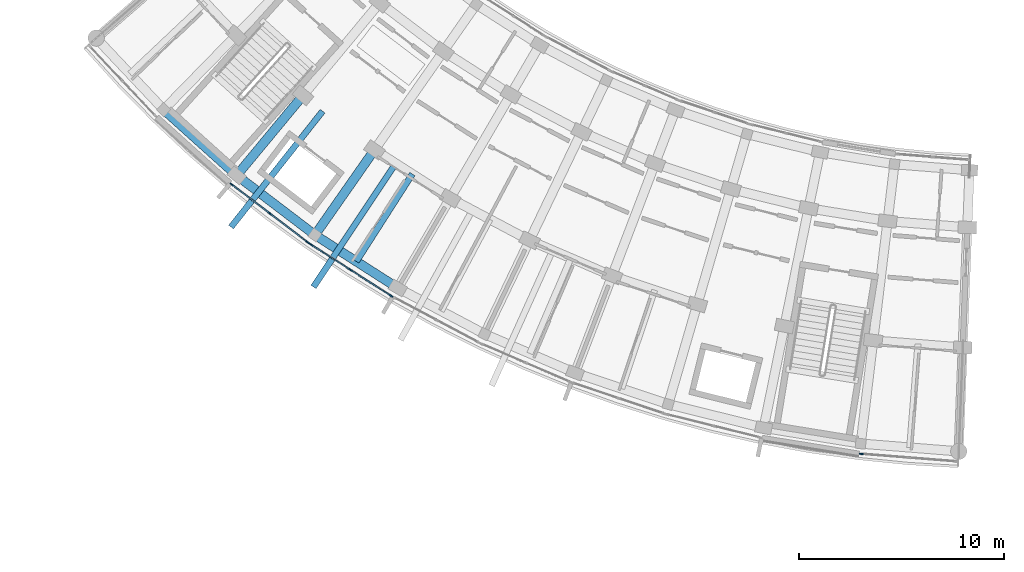
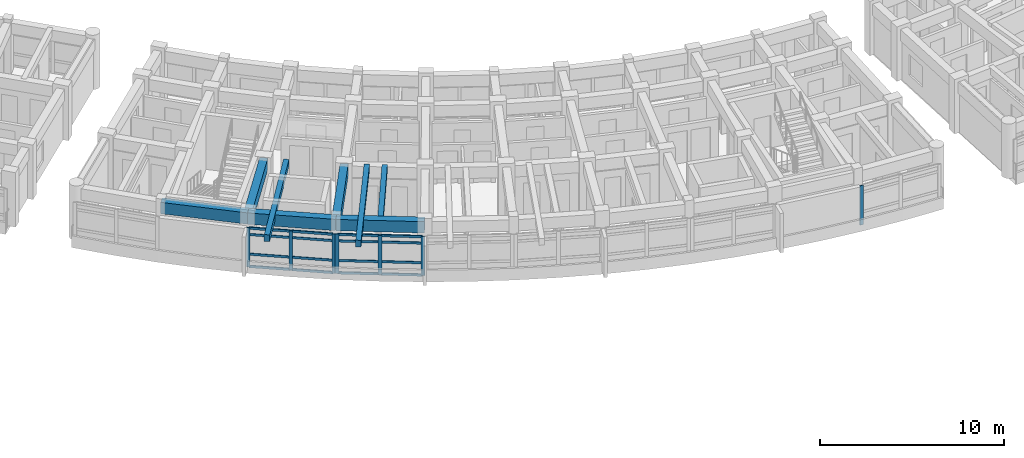
# One storey, part 19 of 83: 23 members, 8 beams, 3 elements without a shape of their own.
"""IFC4 building model written with IfcOpenShell, lengths in metres."""

from ifc_helpers import new_model, si_unit, direction, frame, origin, origin_2d, place, context, subcontext, project, spatial, rectangle, extrude, material, material_profile, profile_set, type_object, element, aggregate, save


model = new_model("IFC4")

# Units and contexts
model_context = context("Model", 3, precision=1e-05, world=origin(), true_north=direction((0.0, 1.0)))
body_context = subcontext(model_context, "Body", "Model", "MODEL_VIEW")
ifc_project = project(units=[si_unit("LENGTHUNIT", "METRE"), si_unit("AREAUNIT", "SQUARE_METRE"), si_unit("VOLUMEUNIT", "CUBIC_METRE"), si_unit("PLANEANGLEUNIT", "RADIAN"), si_unit("MASSUNIT", "GRAM", prefix="KILO")], contexts=[model_context])

# Site, building, storey
site_placement = place(None, origin())
site = spatial("IfcSite", under=ifc_project, at=site_placement, CompositionType="ELEMENT")
building_placement = place(site_placement, origin())
building = spatial("IfcBuilding", under=site, at=building_placement, Name="Zimvara Arc Housing Community", CompositionType="ELEMENT")
storey_placement = place(building_placement, frame((0.0, 0.0, 4.5)))
storey = spatial("IfcBuildingStorey", under=building, at=storey_placement, Name="L01", CompositionType="ELEMENT", Elevation=4.5)

# Beams
ifc_material_1 = material(Name="Concrete C40/50", Category="concrete")
ifc_material_profile_1 = material_profile(ifc_material_1, rectangle(XDim=0.300048828125, YDim=0.449951171875, at=origin_2d()), Name="RC 300x450")
ifc_profile_set_1 = profile_set([ifc_material_profile_1], Name="Concrete C40/50")
beam_type_1 = type_object("IfcBeamType", Name="BM-RC-300x450", PredefinedType="JOIST", material=ifc_profile_set_1)
beam_1_placement = place(storey_placement, frame((97.00244140625, 64.583984375, 3.135009765625), z_axis=(-0.539052331508, -0.842272274206, 0.0), x_axis=(0.842272274206, -0.539052331508, 0.0)))
element("IfcBeam", 1, at=beam_1_placement, inside=storey, type_object=beam_type_1, Name="bm:blkC:L01:joist:b3", PredefinedType="JOIST", context=body_context, shape_type="SweptSolid", body=[
    extrude(rectangle(XDim=0.300048828125, YDim=0.449951171875, at=origin_2d()), origin(), (0.0, 0.0, 1.0), 5.07568359375),
])
for number, where, z_axis, x_axis, name in (
    (2, (92.614013671875, 67.65625, 3.1650390625), (-0.620185744854, -0.784454996721, 0.0), (0.784454996721, -0.620185744854, 0.0), "bm:blkC:L01:cant_out:b2"),
    (3, (96.168701171875, 65.07470703125, 3.1650390625), (-0.554114811637, -0.832440253426, 0.0), (0.832440253426, -0.554114811637, 0.0), "bm:blkC:L01:cant_out:b3"),
):
    element("IfcBeam", number, at=place(storey_placement, frame(where, z_axis=z_axis, x_axis=x_axis)), inside=storey, type_object=beam_type_1, Name=name, PredefinedType="JOIST", context=body_context, shape_type="SweptSolid", body=[
        extrude(rectangle(XDim=0.300048828125, YDim=0.449951171875, at=origin_2d()), origin(), (0.0, 0.0, 1.0), 7.219970703125),
    ])
ifc_material_2 = material(Name="Concrete C40/50", Category="concrete")
ifc_material_profile_2 = material_profile(ifc_material_2, rectangle(XDim=0.449951171875, YDim=0.75, at=origin_2d()), Name="RC 450x750")
ifc_profile_set_2 = profile_set([ifc_material_profile_2], Name="Concrete C40/50")
beam_type_2 = type_object("IfcBeamType", Name="BM-RC-450x750", PredefinedType="BEAM", material=ifc_profile_set_2)
for number, where, z_axis, x_axis, name in (
    (4, (84.842529296875, 67.734375, 2.985107421875), (0.743369885629, -0.668880567172, 0.0), (0.668880567172, 0.743369885629, 0.0), "bm:blkC:L01:chord:r3:b1"),
    (5, (88.416748046875, 64.518310546875, 2.985107421875), (0.795480673672, -0.605978958228, 0.0), (0.605978958228, 0.795480673672, 0.0), "bm:blkC:L01:chord:r3:b2"),
    (6, (92.241455078125, 61.604736328125, 2.985107421875), (0.842278777856, -0.539042169383, 0.0), (0.539042169383, 0.842278777856, 0.0), "bm:blkC:L01:chord:r3:b3"),
):
    element("IfcBeam", number, at=place(storey_placement, frame(where, z_axis=z_axis, x_axis=x_axis)), inside=storey, type_object=beam_type_2, Name=name, PredefinedType="BEAM", context=body_context, shape_type="SweptSolid", body=[
        extrude(rectangle(XDim=0.449951171875, YDim=0.75, at=origin_2d()), origin(), (0.0, 0.0, 1.0), 4.80810546875),
    ])
beam_2_placement = place(storey_placement, frame((91.65771484375, 68.430419921875, 2.985107421875), z_axis=(-0.637960059333, -0.770069453164, 0.0), x_axis=(0.770069453164, -0.637960059333, 0.0)))
element("IfcBeam", 7, at=beam_2_placement, inside=storey, type_object=beam_type_2, Name="bm:blkC:L01:rad:b2:r23", PredefinedType="BEAM", context=body_context, shape_type="SweptSolid", body=[
    extrude(rectangle(XDim=0.449951171875, YDim=0.75, at=origin_2d()), origin(), (0.0, 0.0, 1.0), 5.080322265625),
])
beam_3_placement = place(storey_placement, frame((95.15234375, 65.76806640625, 2.985107421875), z_axis=(-0.573007469479, -0.819550144848, 0.0), x_axis=(0.819550144848, -0.573007469479, 0.0)))
element("IfcBeam", 8, at=beam_3_placement, inside=storey, type_object=beam_type_2, Name="bm:blkC:L01:rad:b3:r23", PredefinedType="BEAM", context=body_context, shape_type="SweptSolid", body=[
    extrude(rectangle(XDim=0.449951171875, YDim=0.75, at=origin_2d()), origin(), (0.0, 0.0, 1.0), 5.080078125),
])

# Curtain wall, members
ifc_material_3 = material(Name="Anodised Aluminium AW-6063", Category="aluminium")
curtain_wall_type_1 = type_object("IfcCurtainWallType", Name="CW-SYS-07", PredefinedType="USERDEFINED", material=ifc_material_3)
curtain_wall_1_placement = place(storey_placement, origin())
curtain_wall_1 = element("IfcCurtainWall", 9, at=curtain_wall_1_placement, inside=storey, type_object=curtain_wall_type_1, Name="cw:blkC:L01:out:b2", ObjectType="CURTAIN WALL", PredefinedType="USERDEFINED")
ifc_material_4 = material(Name="Anodised Aluminium AW-6063", Category="aluminium")
ifc_material_profile_3 = material_profile(ifc_material_4, rectangle(XDim=0.06494140625, YDim=0.195068359375, at=origin_2d()), Name="ALU 65x195")
ifc_profile_set_3 = profile_set([ifc_material_profile_3], Name="Anodised Aluminium AW-6063")
member_type_1 = type_object("IfcMemberType", Name="CWM-65x180", PredefinedType="MULLION", material=ifc_profile_set_3)
member_1_placement = place(storey_placement, frame((88.17138671875, 64.077392578125, 0.0), z_axis=(0.0, 0.0, 1.0), x_axis=(0.60598771987, 0.795473999177, 0.0)))
member_1 = element("IfcMember", 10, at=member_1_placement, type_object=member_type_1, Name="CW07 mullion 1", PredefinedType="MULLION", context=body_context, shape_type="SweptSolid", body=[
    extrude(rectangle(XDim=0.06494140625, YDim=0.195068359375, at=origin_2d()), origin(), (0.0, 0.0, 1.0), 2.60009765625),
])
member_2_placement = place(storey_placement, frame((90.0263671875, 62.6640625, 0.0), z_axis=(0.0, 0.0, 1.0), x_axis=(0.60598771987, 0.795473999177, 0.0)))
member_2 = element("IfcMember", 11, at=member_2_placement, type_object=member_type_1, Name="CW07 mullion 2", PredefinedType="MULLION", context=body_context, shape_type="SweptSolid", body=[
    extrude(rectangle(XDim=0.06494140625, YDim=0.195068359375, at=origin_2d()), origin(), (0.0, 0.0, 1.0), 2.60009765625),
])
member_3_placement = place(storey_placement, frame((91.88134765625, 61.2509765625, 0.0), z_axis=(0.0, 0.0, 1.0), x_axis=(0.60598771987, 0.795473999177, 0.0)))
member_3 = element("IfcMember", 12, at=member_3_placement, type_object=member_type_1, Name="CW07 mullion 3", PredefinedType="MULLION", context=body_context, shape_type="SweptSolid", body=[
    extrude(rectangle(XDim=0.06494140625, YDim=0.195068359375, at=origin_2d()), origin(), (0.0, 0.0, 1.0), 2.60009765625),
])

ifc_material_5 = material(Name="Anodised Aluminium AW-6063", Category="aluminium")
curtain_wall_type_2 = type_object("IfcCurtainWallType", Name="CW-SYS-01", PredefinedType="USERDEFINED", material=ifc_material_5)
curtain_wall_2_placement = place(storey_placement, origin())
curtain_wall_2 = element("IfcCurtainWall", 13, at=curtain_wall_2_placement, inside=storey, type_object=curtain_wall_type_2, Name="cw:blkC:L01:out:b3", ObjectType="CURTAIN WALL", PredefinedType="USERDEFINED")
member_4_placement = place(storey_placement, frame((92.032958984375, 61.14501953125, 0.0), z_axis=(0.0, 0.0, 1.0), x_axis=(0.539064617721, 0.842264410931, 0.0)))
member_4 = element("IfcMember", 14, at=member_4_placement, type_object=member_type_1, Name="CW01 mullion 1", PredefinedType="MULLION", context=body_context, shape_type="SweptSolid", body=[
    extrude(rectangle(XDim=0.06494140625, YDim=0.195068359375, at=origin_2d()), origin(), (0.0, 0.0, 1.0), 2.60009765625),
])
member_5_placement = place(storey_placement, frame((93.9970703125, 59.887939453125, 0.0), z_axis=(0.0, 0.0, 1.0), x_axis=(0.539064617721, 0.842264410931, 0.0)))
member_5 = element("IfcMember", 15, at=member_5_placement, type_object=member_type_1, Name="CW01 mullion 2", PredefinedType="MULLION", context=body_context, shape_type="SweptSolid", body=[
    extrude(rectangle(XDim=0.06494140625, YDim=0.195068359375, at=origin_2d()), origin(), (0.0, 0.0, 1.0), 2.60009765625),
])
member_6_placement = place(storey_placement, frame((95.961181640625, 58.630859375, 0.0), z_axis=(0.0, 0.0, 1.0), x_axis=(0.539064617721, 0.842264410931, 0.0)))
member_6 = element("IfcMember", 16, at=member_6_placement, type_object=member_type_1, Name="CW01 mullion 3", PredefinedType="MULLION", context=body_context, shape_type="SweptSolid", body=[
    extrude(rectangle(XDim=0.06494140625, YDim=0.195068359375, at=origin_2d()), origin(), (0.0, 0.0, 1.0), 2.60009765625),
])

# Curtain wall, member
ifc_material_6 = material(Name="Anodised Aluminium AW-6063", Category="aluminium")
curtain_wall_type_3 = type_object("IfcCurtainWallType", Name="CW-SYS-03", PredefinedType="USERDEFINED", material=ifc_material_6)
curtain_wall_3_placement = place(storey_placement, origin())
curtain_wall_3 = element("IfcCurtainWall", 17, at=curtain_wall_3_placement, inside=storey, type_object=curtain_wall_type_3, Name="cw:blkC:L01:out:b9", ObjectType="CURTAIN WALL", PredefinedType="USERDEFINED")
member_7_placement = place(storey_placement, frame((118.958984375, 50.900146484375, 0.0), z_axis=(0.0, 0.0, 1.0), x_axis=(0.079153759607, 0.996862418963, 0.0)))
member_7 = element("IfcMember", 18, at=member_7_placement, type_object=member_type_1, Name="CW03 mullion 1", PredefinedType="MULLION", context=body_context, shape_type="SweptSolid", body=[
    extrude(rectangle(XDim=0.06494140625, YDim=0.195068359375, at=origin_2d()), origin(), (0.0, 0.0, 1.0), 2.60009765625),
])
aggregate(curtain_wall_3, [member_7])

# Member
ifc_material_7 = material(Name="Anodised Aluminium AW-6063", Category="aluminium")
ifc_material_profile_4 = material_profile(ifc_material_7, rectangle(XDim=0.06494140625, YDim=0.155029296875, at=origin_2d()), Name="ALU 65x155")
ifc_profile_set_4 = profile_set([ifc_material_profile_4], Name="Anodised Aluminium AW-6063")
member_type_2 = type_object("IfcMemberType", Name="CWT-65x140", PredefinedType="USERDEFINED", material=ifc_profile_set_4)
member_8_placement = place(storey_placement, frame((88.197265625, 64.0576171875, 0.032470703125), z_axis=(0.795453969776, -0.606014011363, 0.0), x_axis=(0.606014011363, 0.795453969776, 0.0)))
member_8 = element("IfcMember", 19, at=member_8_placement, type_object=member_type_2, Name="CW07 transom 1.1", ObjectType="TRANSOM", PredefinedType="USERDEFINED", context=body_context, shape_type="SweptSolid", body=[
    extrude(rectangle(XDim=0.06494140625, YDim=0.155029296875, at=origin_2d()), origin(), (0.0, 0.0, 1.0), 2.266845703125),
])

member_9_placement = place(storey_placement, frame((88.197265625, 64.0576171875, 0.85009765625), z_axis=(0.795453969776, -0.606014011363, 0.0), x_axis=(0.606014011363, 0.795453969776, 0.0)))
member_9 = element("IfcMember", 20, at=member_9_placement, type_object=member_type_2, Name="CW07 transom 1.2", ObjectType="TRANSOM", PredefinedType="USERDEFINED", context=body_context, shape_type="SweptSolid", body=[
    extrude(rectangle(XDim=0.06494140625, YDim=0.155029296875, at=origin_2d()), origin(), (0.0, 0.0, 1.0), 2.266845703125),
])

member_10_placement = place(storey_placement, frame((88.197265625, 64.0576171875, 2.14990234375), z_axis=(0.795453969776, -0.606014011363, 0.0), x_axis=(0.606014011363, 0.795453969776, 0.0)))
member_10 = element("IfcMember", 21, at=member_10_placement, type_object=member_type_2, Name="CW07 transom 1.3", ObjectType="TRANSOM", PredefinedType="USERDEFINED", context=body_context, shape_type="SweptSolid", body=[
    extrude(rectangle(XDim=0.06494140625, YDim=0.155029296875, at=origin_2d()), origin(), (0.0, 0.0, 1.0), 2.266845703125),
])

member_11_placement = place(storey_placement, frame((88.197265625, 64.0576171875, 2.5673828125), z_axis=(0.795453969776, -0.606014011363, 0.0), x_axis=(0.606014011363, 0.795453969776, 0.0)))
member_11 = element("IfcMember", 22, at=member_11_placement, type_object=member_type_2, Name="CW07 transom 1.4", ObjectType="TRANSOM", PredefinedType="USERDEFINED", context=body_context, shape_type="SweptSolid", body=[
    extrude(rectangle(XDim=0.06494140625, YDim=0.155029296875, at=origin_2d()), origin(), (0.0, 0.0, 1.0), 2.266845703125),
])

member_12_placement = place(storey_placement, frame((90.05224609375, 62.64453125, 0.032470703125), z_axis=(0.795453969776, -0.606014011363, 0.0), x_axis=(0.606014011363, 0.795453969776, 0.0)))
member_12 = element("IfcMember", 23, at=member_12_placement, type_object=member_type_2, Name="CW07 transom 2.1", ObjectType="TRANSOM", PredefinedType="USERDEFINED", context=body_context, shape_type="SweptSolid", body=[
    extrude(rectangle(XDim=0.06494140625, YDim=0.155029296875, at=origin_2d()), origin(), (0.0, 0.0, 1.0), 2.266845703125),
])

member_13_placement = place(storey_placement, frame((90.05224609375, 62.64453125, 0.85009765625), z_axis=(0.795453969776, -0.606014011363, 0.0), x_axis=(0.606014011363, 0.795453969776, 0.0)))
member_13 = element("IfcMember", 24, at=member_13_placement, type_object=member_type_2, Name="CW07 transom 2.2", ObjectType="TRANSOM", PredefinedType="USERDEFINED", context=body_context, shape_type="SweptSolid", body=[
    extrude(rectangle(XDim=0.06494140625, YDim=0.155029296875, at=origin_2d()), origin(), (0.0, 0.0, 1.0), 2.266845703125),
])

member_14_placement = place(storey_placement, frame((90.05224609375, 62.64453125, 2.14990234375), z_axis=(0.795453969776, -0.606014011363, 0.0), x_axis=(0.606014011363, 0.795453969776, 0.0)))
member_14 = element("IfcMember", 25, at=member_14_placement, type_object=member_type_2, Name="CW07 transom 2.3", ObjectType="TRANSOM", PredefinedType="USERDEFINED", context=body_context, shape_type="SweptSolid", body=[
    extrude(rectangle(XDim=0.06494140625, YDim=0.155029296875, at=origin_2d()), origin(), (0.0, 0.0, 1.0), 2.266845703125),
])

member_15_placement = place(storey_placement, frame((90.05224609375, 62.64453125, 2.5673828125), z_axis=(0.795453969776, -0.606014011363, 0.0), x_axis=(0.606014011363, 0.795453969776, 0.0)))
member_15 = element("IfcMember", 26, at=member_15_placement, type_object=member_type_2, Name="CW07 transom 2.4", ObjectType="TRANSOM", PredefinedType="USERDEFINED", context=body_context, shape_type="SweptSolid", body=[
    extrude(rectangle(XDim=0.06494140625, YDim=0.155029296875, at=origin_2d()), origin(), (0.0, 0.0, 1.0), 2.266845703125),
])

aggregate(curtain_wall_1, [member_1, member_2, member_3, member_8, member_9, member_10, member_11, member_12, member_13, member_14, member_15])

member_16_placement = place(storey_placement, frame((92.060302734375, 61.127685546875, 0.032470703125), z_axis=(0.842244018672, -0.539096478388, 0.0), x_axis=(0.539096478388, 0.842244018672, 0.0)))
member_16 = element("IfcMember", 27, at=member_16_placement, type_object=member_type_2, Name="CW01 transom 1.1", ObjectType="TRANSOM", PredefinedType="USERDEFINED", context=body_context, shape_type="SweptSolid", body=[
    extrude(rectangle(XDim=0.06494140625, YDim=0.155029296875, at=origin_2d()), origin(), (0.0, 0.0, 1.0), 2.26708984375),
])

member_17_placement = place(storey_placement, frame((92.060302734375, 61.127685546875, 0.85009765625), z_axis=(0.842244018672, -0.539096478388, 0.0), x_axis=(0.539096478388, 0.842244018672, 0.0)))
member_17 = element("IfcMember", 28, at=member_17_placement, type_object=member_type_2, Name="CW01 transom 1.2", ObjectType="TRANSOM", PredefinedType="USERDEFINED", context=body_context, shape_type="SweptSolid", body=[
    extrude(rectangle(XDim=0.06494140625, YDim=0.155029296875, at=origin_2d()), origin(), (0.0, 0.0, 1.0), 2.26708984375),
])

member_18_placement = place(storey_placement, frame((92.060302734375, 61.127685546875, 2.14990234375), z_axis=(0.842244018672, -0.539096478388, 0.0), x_axis=(0.539096478388, 0.842244018672, 0.0)))
member_18 = element("IfcMember", 29, at=member_18_placement, type_object=member_type_2, Name="CW01 transom 1.3", ObjectType="TRANSOM", PredefinedType="USERDEFINED", context=body_context, shape_type="SweptSolid", body=[
    extrude(rectangle(XDim=0.06494140625, YDim=0.155029296875, at=origin_2d()), origin(), (0.0, 0.0, 1.0), 2.26708984375),
])

member_19_placement = place(storey_placement, frame((92.060302734375, 61.127685546875, 2.5673828125), z_axis=(0.842244018672, -0.539096478388, 0.0), x_axis=(0.539096478388, 0.842244018672, 0.0)))
member_19 = element("IfcMember", 30, at=member_19_placement, type_object=member_type_2, Name="CW01 transom 1.4", ObjectType="TRANSOM", PredefinedType="USERDEFINED", context=body_context, shape_type="SweptSolid", body=[
    extrude(rectangle(XDim=0.06494140625, YDim=0.155029296875, at=origin_2d()), origin(), (0.0, 0.0, 1.0), 2.26708984375),
])

member_20_placement = place(storey_placement, frame((94.0244140625, 59.87060546875, 0.032470703125), z_axis=(0.842244018672, -0.539096478388, 0.0), x_axis=(0.539096478388, 0.842244018672, 0.0)))
member_20 = element("IfcMember", 31, at=member_20_placement, type_object=member_type_2, Name="CW01 transom 2.1", ObjectType="TRANSOM", PredefinedType="USERDEFINED", context=body_context, shape_type="SweptSolid", body=[
    extrude(rectangle(XDim=0.06494140625, YDim=0.155029296875, at=origin_2d()), origin(), (0.0, 0.0, 1.0), 2.26708984375),
])

member_21_placement = place(storey_placement, frame((94.0244140625, 59.87060546875, 0.85009765625), z_axis=(0.842244018672, -0.539096478388, 0.0), x_axis=(0.539096478388, 0.842244018672, 0.0)))
member_21 = element("IfcMember", 32, at=member_21_placement, type_object=member_type_2, Name="CW01 transom 2.2", ObjectType="TRANSOM", PredefinedType="USERDEFINED", context=body_context, shape_type="SweptSolid", body=[
    extrude(rectangle(XDim=0.06494140625, YDim=0.155029296875, at=origin_2d()), origin(), (0.0, 0.0, 1.0), 2.26708984375),
])

member_22_placement = place(storey_placement, frame((94.0244140625, 59.87060546875, 2.14990234375), z_axis=(0.842244018672, -0.539096478388, 0.0), x_axis=(0.539096478388, 0.842244018672, 0.0)))
member_22 = element("IfcMember", 33, at=member_22_placement, type_object=member_type_2, Name="CW01 transom 2.3", ObjectType="TRANSOM", PredefinedType="USERDEFINED", context=body_context, shape_type="SweptSolid", body=[
    extrude(rectangle(XDim=0.06494140625, YDim=0.155029296875, at=origin_2d()), origin(), (0.0, 0.0, 1.0), 2.26708984375),
])

member_23_placement = place(storey_placement, frame((94.0244140625, 59.87060546875, 2.5673828125), z_axis=(0.842244018672, -0.539096478388, 0.0), x_axis=(0.539096478388, 0.842244018672, 0.0)))
member_23 = element("IfcMember", 34, at=member_23_placement, type_object=member_type_2, Name="CW01 transom 2.4", ObjectType="TRANSOM", PredefinedType="USERDEFINED", context=body_context, shape_type="SweptSolid", body=[
    extrude(rectangle(XDim=0.06494140625, YDim=0.155029296875, at=origin_2d()), origin(), (0.0, 0.0, 1.0), 2.26708984375),
])

aggregate(curtain_wall_2, [member_4, member_5, member_6, member_16, member_17, member_18, member_19, member_20, member_21, member_22, member_23])

save(model, "model.ifc")
